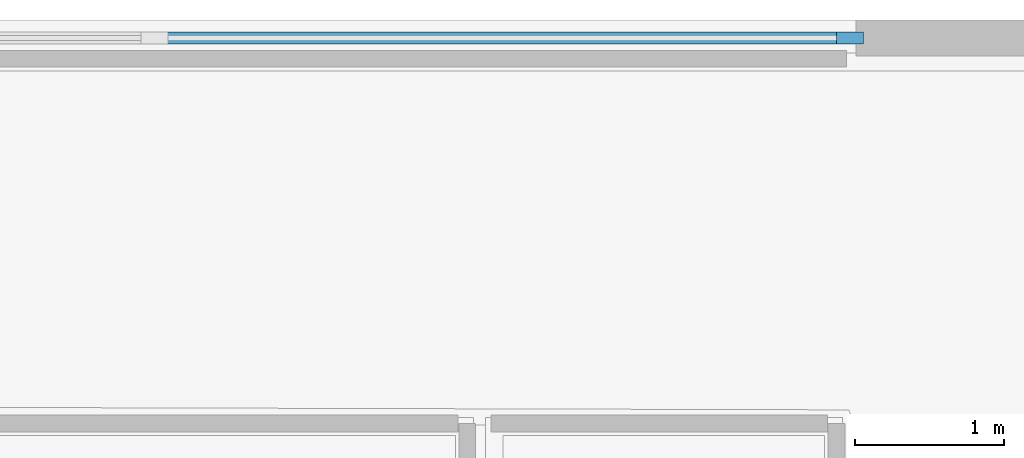
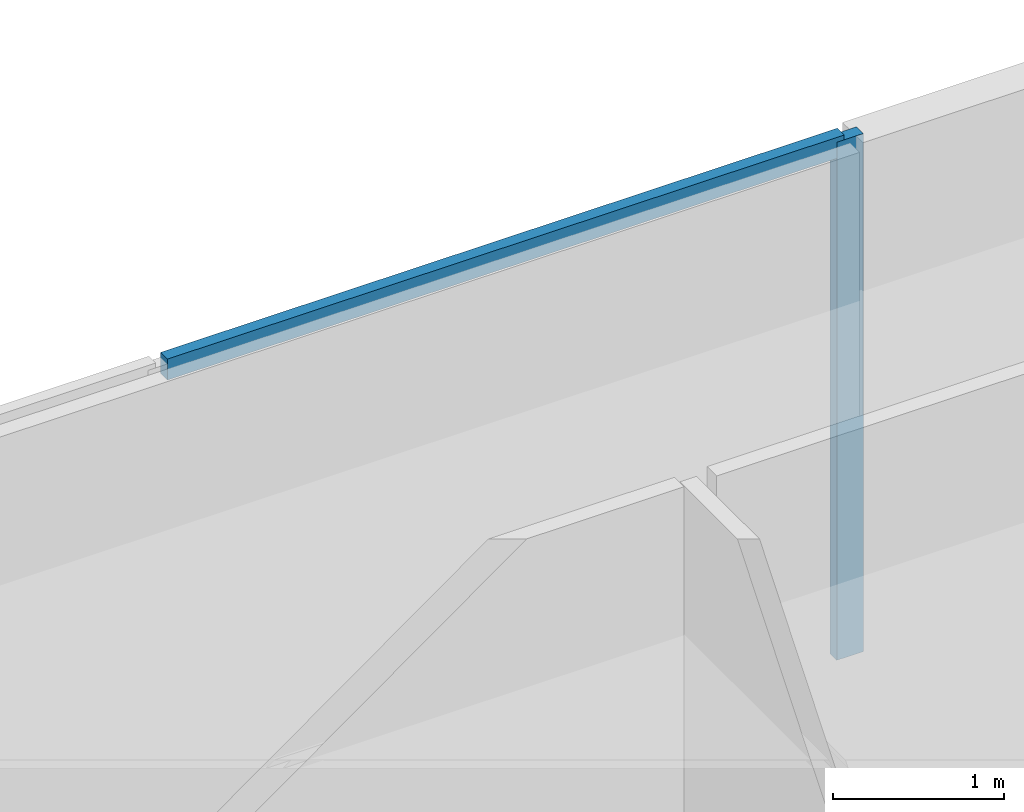
# One storey, part 2 of 8: 2 members, 1 element without a shape of its own.
"""IFC4 building model written with IfcOpenShell, lengths in metres."""

from ifc_helpers import new_model, si_unit, direction, frame, origin, origin_2d, place, context, subcontext, project, spatial, rectangle, extrude, material, layer, layer_set, material_profile, profile_set, type_object, element, aggregate, save


model = new_model("IFC4")

# Units and contexts
model_context = context("Model", 3, precision=1e-05, world=origin(), true_north=direction((0.0, 1.0)))
body_context = subcontext(model_context, "Body", "Model", "MODEL_VIEW")
ifc_project = project(units=[si_unit("LENGTHUNIT", "METRE"), si_unit("AREAUNIT", "SQUARE_METRE"), si_unit("VOLUMEUNIT", "CUBIC_METRE"), si_unit("PLANEANGLEUNIT", "RADIAN"), si_unit("MASSUNIT", "GRAM", prefix="KILO")], contexts=[model_context])

# Site, building, storey
site_placement = place(None, origin())
site = spatial("IfcSite", under=ifc_project, at=site_placement, CompositionType="ELEMENT")
building_placement = place(site_placement, origin())
building = spatial("IfcBuilding", under=site, at=building_placement, Name="Caeloran Harvest Quay", CompositionType="ELEMENT")
storey_placement = place(building_placement, frame((0.0, 0.0, 268.550048828125)))
storey = spatial("IfcBuildingStorey", under=building, at=storey_placement, Name="L64", CompositionType="ELEMENT", Elevation=268.550048828125)

# Curtain wall, members
ifc_material_1 = material(Name="Aluminium 6063-T6 and Low-E Glazing", Category="aluminium")
ifc_layer = layer(ifc_material_1, 0.219970703125, Name="Aluminium 6063-T6 and Low-E Glazing")
ifc_layer_set = layer_set([ifc_layer], Name="Aluminium 6063-T6 and Low-E Glazing")
curtain_wall_type = type_object("IfcCurtainWallType", Name="CW-SYS-CW-5", PredefinedType="USERDEFINED", material=ifc_layer_set)
curtain_wall_placement = place(storey_placement, origin())
curtain_wall = element("IfcCurtainWall", 1, at=curtain_wall_placement, inside=storey, type_object=curtain_wall_type, Name="L64 Unitised Curtain Wall CW-5 Run 6", ObjectType="CURTAIN_WALL", PredefinedType="USERDEFINED")
ifc_material_2 = material(Name="Aluminium 6063-T6", Category="aluminium")
ifc_material_profile_1 = material_profile(ifc_material_2, rectangle(XDim=0.080078125, YDim=0.179931640625, at=origin_2d()), Name="CW-MULLION-180")
ifc_profile_set_1 = profile_set([ifc_material_profile_1], Name="Aluminium 6063-T6")
member_type_1 = type_object("IfcMemberType", Name="CW-MULLION-180", PredefinedType="MULLION", material=ifc_profile_set_1)
member_1_placement = place(storey_placement, frame((30.43994140625, 43.3798828125, 0.0), z_axis=(0.0, 0.0, 1.0), x_axis=(0.0, 1.0, 0.0)))
member_1 = element("IfcMember", 2, at=member_1_placement, type_object=member_type_1, Name="CW-5 mullion 6", PredefinedType="MULLION", context=body_context, shape_type="SweptSolid", body=[
    extrude(rectangle(XDim=0.080078125, YDim=0.179931640625, at=origin_2d()), origin(), (0.0, 0.0, 1.0), 3.699951171875),
])
ifc_material_profile_2 = material_profile(ifc_material_2, rectangle(XDim=0.080078125, YDim=0.14990234375, at=origin_2d()), Name="CW-TRANSOM-150")
ifc_profile_set_2 = profile_set([ifc_material_profile_2], Name="Aluminium 6063-T6")
member_type_2 = type_object("IfcMemberType", Name="CW-TRANSOM-150", PredefinedType="USERDEFINED", material=ifc_profile_set_2)
member_2_placement = place(storey_placement, frame((25.827880859375, 43.3798828125, 3.659912109375), z_axis=(1.0, 0.0, 0.0), x_axis=(0.0, 1.0, 0.0)))
member_2 = element("IfcMember", 3, at=member_2_placement, type_object=member_type_2, Name="CW-5 transom 5.3", ObjectType="TRANSOM", PredefinedType="USERDEFINED", context=body_context, shape_type="SweptSolid", body=[
    extrude(rectangle(XDim=0.080078125, YDim=0.14990234375, at=origin_2d()), origin(), (0.0, 0.0, 1.0), 4.572021484375),
])
aggregate(curtain_wall, [member_1, member_2])

save(model, "model.ifc")
